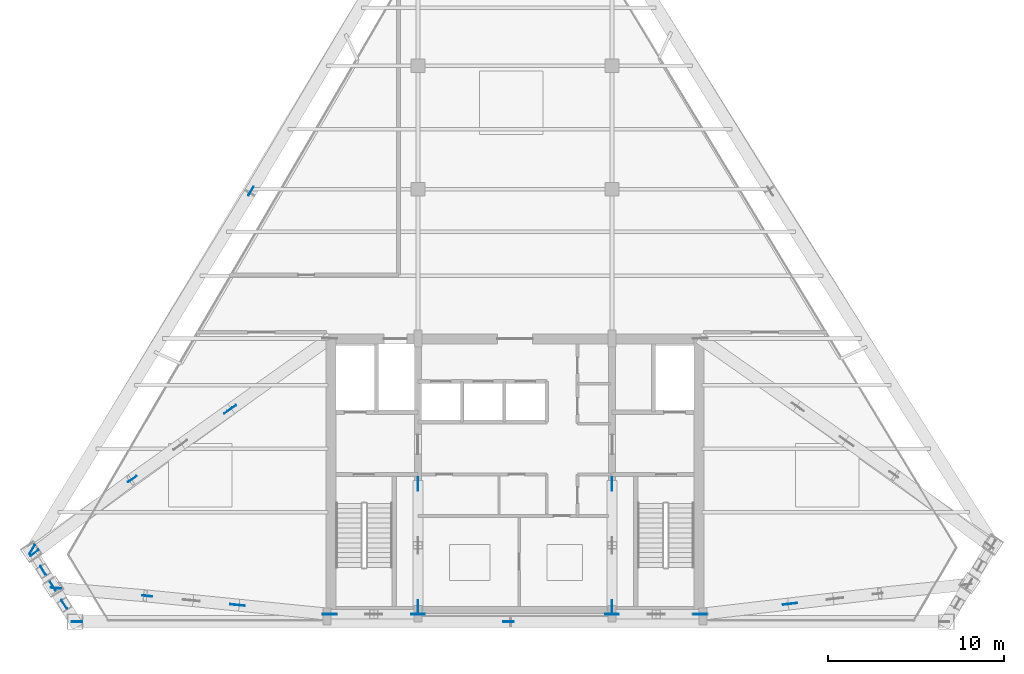
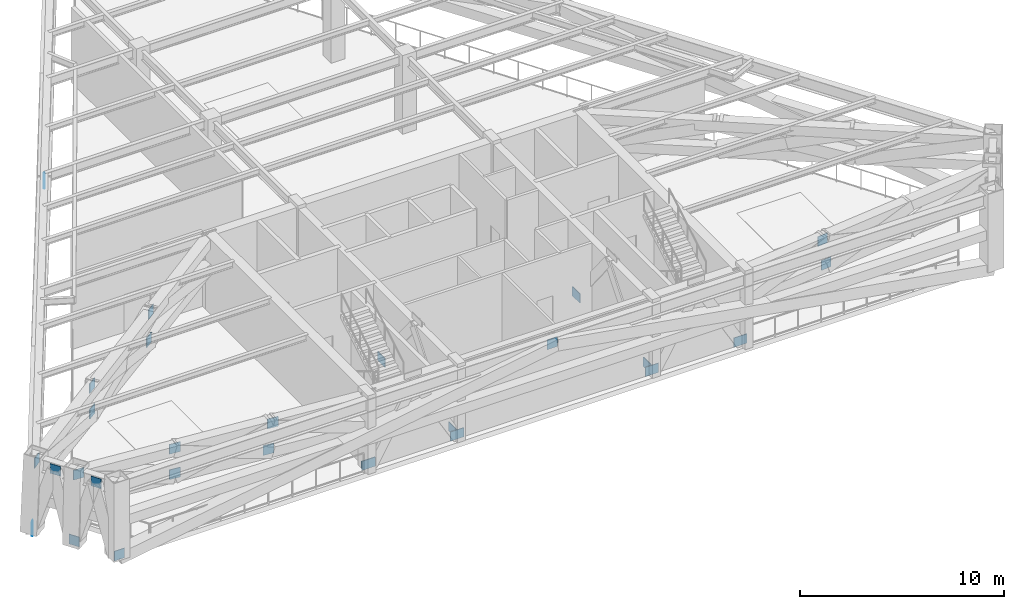
# One storey, part 4 of 9: 27 plates.
"""IFC4 building model written with IfcOpenShell, lengths in metres."""

from ifc_helpers import new_model, si_unit, direction, frame, origin, origin_2d, place, context, subcontext, project, spatial, rectangle, extrude, source, transform, mapped, material, layer, layer_set, type_object, type_shapes, element, save


model = new_model("IFC4")

# Units and contexts
model_context = context("Model", 3, precision=1e-05, world=origin(), true_north=direction((0.0, 1.0)))
body_context = subcontext(model_context, "Body", "Model", "MODEL_VIEW")
ifc_project = project(units=[si_unit("LENGTHUNIT", "METRE"), si_unit("AREAUNIT", "SQUARE_METRE"), si_unit("VOLUMEUNIT", "CUBIC_METRE"), si_unit("PLANEANGLEUNIT", "RADIAN"), si_unit("MASSUNIT", "GRAM", prefix="KILO")], contexts=[model_context])

# Site, building, storey
site_placement = place(None, origin())
site = spatial("IfcSite", under=ifc_project, at=site_placement, CompositionType="ELEMENT")
building_placement = place(site_placement, origin())
building = spatial("IfcBuilding", under=site, at=building_placement, Name="Varnakhor Terracotta Tower", CompositionType="ELEMENT")
storey_placement = place(building_placement, frame((0.0, 0.0, 257.949951171875)))
storey = spatial("IfcBuildingStorey", under=building, at=storey_placement, Name="L67", CompositionType="ELEMENT", Elevation=257.949951171875)

# Plates
ifc_material = material(Name="Steel S460", Category="steel")
ifc_layer_1 = layer(ifc_material, 0.050048828125, Name="Steel S460")
ifc_layer_set_1 = layer_set([ifc_layer_1], Name="Steel S460")
plate_type_1 = type_object("IfcPlateType", Name="PLT-GUSSET-50", PredefinedType="USERDEFINED", material=ifc_layer_set_1)
shared_shape_1 = source(origin(), body_context, "Body", "SweptSolid", [
    extrude(rectangle(XDim=0.75, YDim=0.0400390625, at=origin_2d()), origin(), (0.0, 0.0, 1.0), 0.550048828125),
])
type_shapes(plate_type_1, [shared_shape_1])
for number, where, z_axis, x_axis, name in (
    (1, (-10.5, 0.419921875, -0.09521484375), (0.0, 0.0, 1.0), (1.0, 0.0, 0.0), "L67 Core Brace Embed Plate CSWA"),
    (2, (-5.5, 0.419921875, -0.09521484375), (0.0, 0.0, 1.0), (1.0, 0.0, 0.0), "L67 Core Brace Embed Plate CSWB"),
    (3, (5.5, 0.419921875, -0.09521484375), (0.0, 0.0, 1.0), (1.0, 0.0, 0.0), "L67 Core Brace Embed Plate CSEA"),
    (4, (10.5, 0.419921875, -0.09521484375), (0.0, 0.0, 1.0), (1.0, 0.0, 0.0), "L67 Core Brace Embed Plate CSEB"),
    (5, (-5.5, 0.85009765625, -0.09521484375), (0.0, 0.0, 1.0), (0.0, 1.0, 0.0), "L67 Core Brace Embed Plate CWWA"),
    (6, (-5.5, 7.800048828125, -0.09521484375), (0.0, 0.0, 1.0), (0.0, 1.0, 0.0), "L67 Core Brace Embed Plate CWWB"),
    (7, (5.5, 0.85009765625, -0.09521484375), (0.0, 0.0, 1.0), (0.0, 1.0, 0.0), "L67 Core Brace Embed Plate CWEA"),
    (8, (5.5, 7.800048828125, -0.09521484375), (0.0, 0.0, 1.0), (0.0, 1.0, 0.0), "L67 Core Brace Embed Plate CWEB"),
):
    element("IfcPlate", number, at=place(storey_placement, frame(where, z_axis=z_axis, x_axis=x_axis)), inside=storey, type_object=plate_type_1, Name=name, ObjectType="GUSSET PLATE", PredefinedType="USERDEFINED", context=body_context, shape_type="MappedRepresentation", body=[
        mapped(shared_shape_1, transform((0.0, 0.0, 0.0), scale=1.0)),
    ])
ifc_layer_2 = layer(ifc_material, 0.044921875, Name="Steel S460")
ifc_layer_set_2 = layer_set([ifc_layer_2], Name="Steel S460")
plate_type_2 = type_object("IfcPlateType", Name="PLT-GUSSET-45", PredefinedType="USERDEFINED", material=ifc_layer_set_2)
shared_shape_2 = source(origin(), body_context, "Body", "SweptSolid", [
    extrude(rectangle(XDim=0.580078125, YDim=0.0400390625, at=origin_2d()), origin(), (0.0, 0.0, 1.0), 0.580078125),
])
for number, where, z_axis, x_axis, name in (
    (9, (-24.813232421875, 0.0, -0.270263671875), (0.0, 0.0, 1.0), (1.0, 0.0, 0.0), "L67 Brace End Connection Plate 196"),
    (10, (-0.36865234375, 0.0, 3.793701171875), (0.0, 0.0, 1.0), (1.0, 0.0, 0.0), "L67 Brace End Connection Plate 197"),
    (11, (-14.959716796875, 24.401611328125, 3.793212890625), (0.0, 0.0, 1.0), (-0.510497895452, -0.859879002383, 0.0), "L67 Brace End Connection Plate 207"),
    (12, (-27.36181640625, 4.091552734375, -0.26953125), (0.0, 0.0, 1.0), (0.521203282961, 0.85343256197, 0.0), "L67 Brace End Connection Plate 208"),
    (13, (-26.7412109375, 2.905517578125, 3.69921875), (0.0, 0.0, 1.0), (0.532255840969, -0.846583557456, 0.0), "L67 Brace End Connection Plate 209"),
    (14, (-26.19287109375, 2.020263671875, -0.173583984375), (0.0, 0.0, 1.0), (-0.526243606224, 0.850333856146, 0.0), "L67 Brace End Connection Plate 210"),
    (15, (-25.548828125, 0.9873046875, 3.698486328125), (0.0, 0.0, 1.0), (0.529090142291, -0.848565625824, 0.0), "L67 Brace End Connection Plate 211"),
    (16, (-15.611572265625, 0.93359375, 3.815185546875), (0.0, 0.0, 1.0), (-0.994989479767, 0.099979673697, 0.0), "L67 Brace End Connection Plate 212"),
    (17, (-20.83740234375, 1.458740234375, 2.294921875), (0.0, 0.0, 1.0), (-0.994989479767, 0.099979673697, 0.0), "L67 Brace End Connection Plate 213"),
    (18, (-15.840087890625, 0.95654296875, 2.294921875), (0.0, 0.0, 1.0), (-0.994987734641, 0.099997039524, 0.0), "L67 Brace End Connection Plate 214"),
    (19, (-20.83740234375, 1.458740234375, 3.815185546875), (0.0, 0.0, 1.0), (-0.99499122459, 0.099962307839, 0.0), "L67 Brace End Connection Plate 215"),
    (20, (-26.011962890625, 1.906494140625, 3.81494140625), (0.0, 0.0, 1.0), (-0.996304933788, 0.085886430295, 0.0), "L67 Brace End Connection Plate 216"),
    (21, (-16.0458984375, 12.09814453125, 3.8232421875), (0.0, 0.0, 1.0), (-0.814389077773, -0.580319248348, 0.0), "L67 Brace End Connection Plate 217"),
    (22, (-21.68701171875, 8.078369140625, 2.286865234375), (0.0, 0.0, 1.0), (-0.814389077773, -0.580319248348, 0.0), "L67 Brace End Connection Plate 218"),
    (23, (-16.236328125, 11.96240234375, 2.286865234375), (0.0, 0.0, 1.0), (-0.814378949168, -0.580333462031, 0.0), "L67 Brace End Connection Plate 219"),
    (24, (-21.68701171875, 8.078369140625, 3.8232421875), (0.0, 0.0, 1.0), (-0.814389077773, -0.580319248348, 0.0), "L67 Brace End Connection Plate 220"),
    (25, (-27.223388671875, 3.9033203125, 3.8232421875), (0.0, 0.0, 1.0), (-0.798152084643, -0.602456014809, 0.0), "L67 Brace End Connection Plate 221"),
    (26, (15.473388671875, 0.998779296875, 3.814453125), (0.0, 0.0, 1.0), (0.993296317925, 0.115595954933, 0.0), "L67 Brace End Connection Plate 222"),
    (27, (15.700927734375, 1.025146484375, 2.295654296875), (0.0, 0.0, 1.0), (0.993296317925, 0.115595954933, 0.0), "L67 Brace End Connection Plate 224"),
):
    element("IfcPlate", number, at=place(storey_placement, frame(where, z_axis=z_axis, x_axis=x_axis)), inside=storey, type_object=plate_type_2, Name=name, ObjectType="GUSSET PLATE", PredefinedType="USERDEFINED", context=body_context, shape_type="MappedRepresentation", body=[
        mapped(shared_shape_2, transform((0.0, 0.0, 0.0), scale=1.0)),
    ])

save(model, "model.ifc")
